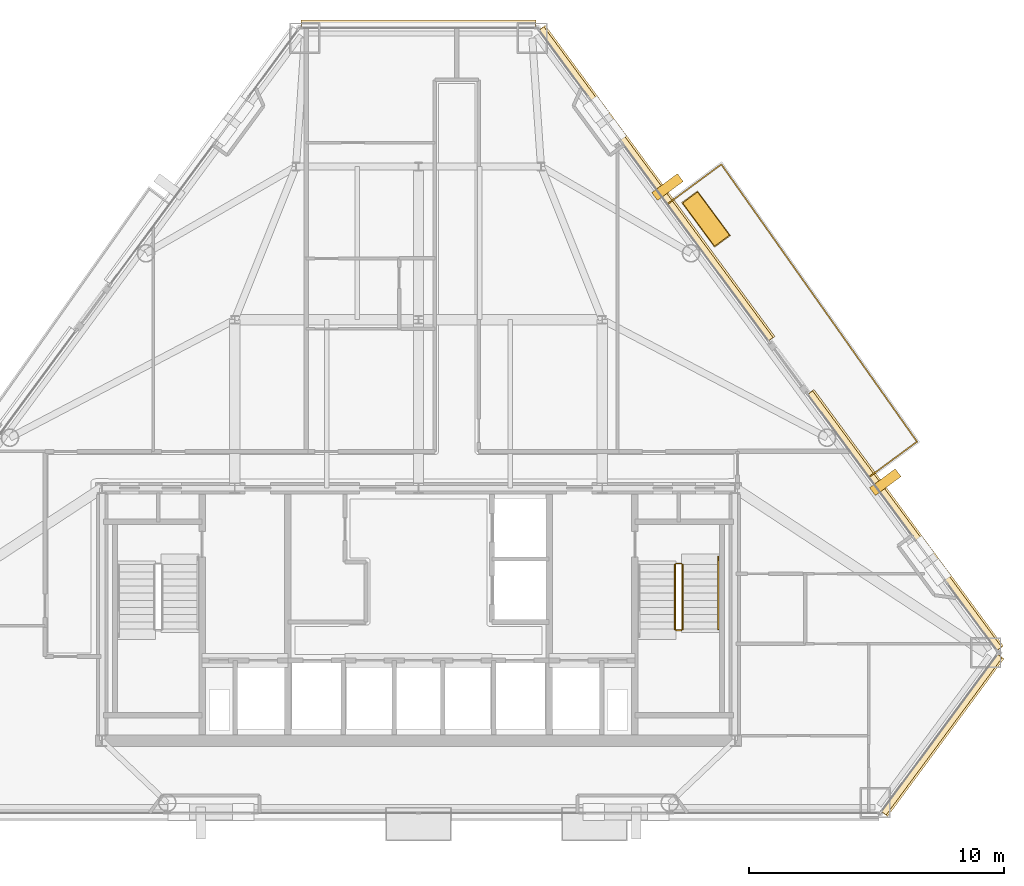
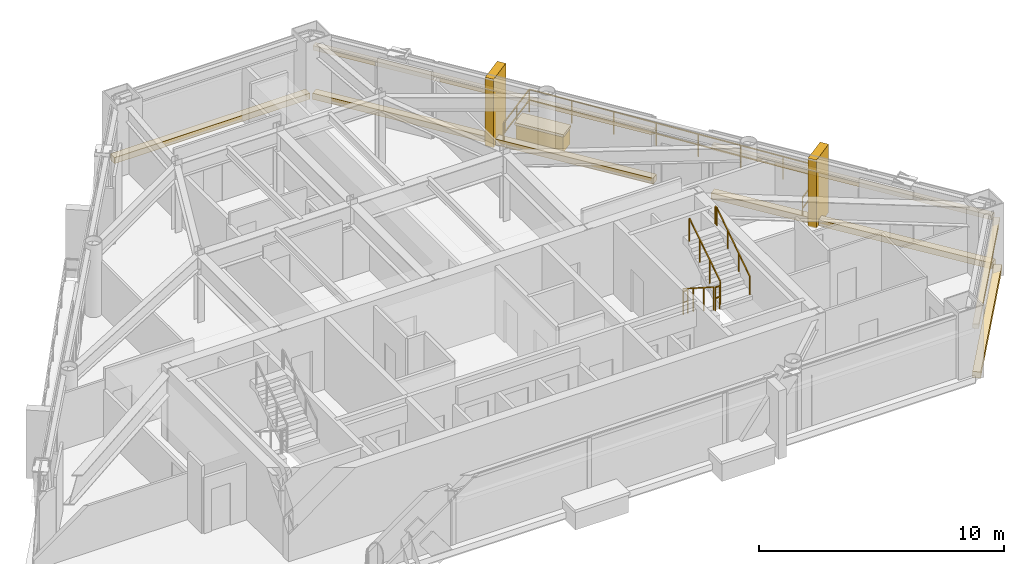
# One storey, part 11 of 11: 11 coverings, 6 railings.
"""IFC4 building model written with IfcOpenShell, lengths in metres."""

from ifc_helpers import new_model, si_unit, direction, frame, origin, origin_2d, place, context, subcontext, project, spatial, rectangle, extrude, material, layer, layer_set, type_object, element, save


model = new_model("IFC4")

# Units and contexts
model_context = context("Model", 3, precision=1e-05, world=origin(), true_north=direction((0.0, 1.0)))
body_context = subcontext(model_context, "Body", "Model", "MODEL_VIEW")
ifc_project = project(units=[si_unit("LENGTHUNIT", "METRE"), si_unit("AREAUNIT", "SQUARE_METRE"), si_unit("VOLUMEUNIT", "CUBIC_METRE"), si_unit("PLANEANGLEUNIT", "RADIAN"), si_unit("MASSUNIT", "GRAM", prefix="KILO")], contexts=[model_context])

# Site, building, storey
site_placement = place(None, origin())
site = spatial("IfcSite", under=ifc_project, at=site_placement, CompositionType="ELEMENT")
building_placement = place(site_placement, origin())
building = spatial("IfcBuilding", under=site, at=building_placement, Name="Talgorran Terracotta Tower", CompositionType="ELEMENT")
storey_placement = place(building_placement, frame((0.0, 0.0, 158.10009765625)))
storey = spatial("IfcBuildingStorey", under=building, at=storey_placement, Name="L41", CompositionType="ELEMENT", Elevation=158.10009765625)

# Coverings
ifc_material_1 = material(Name="Kiln-Fired Terracotta Ochre Ceramic", Category="masonry")
ifc_layer_1 = layer(ifc_material_1, 0.179931640625, Name="COV_BAGUETTE_TERRACOTTA_SCREEN")
ifc_layer_set_1 = layer_set([ifc_layer_1], Name="Kiln-Fired Terracotta Ochre Ceramic")
covering_type_1 = type_object("IfcCoveringType", Name="COV_BAGUETTE_TERRACOTTA_SCREEN", PredefinedType="CLADDING", material=ifc_layer_set_1)
covering_1_placement = place(storey_placement, frame((20.49609375, -13.851806640625, 2.41015625), z_axis=(0.0, 0.0, 1.0), x_axis=(0.593784074712, 0.804624429544, 0.0)))
element("IfcCovering", 1, at=covering_1_placement, inside=storey, type_object=covering_type_1, Name="L41 Terracotta Baguette Solar Screen Assembly F2", PredefinedType="CLADDING", context=body_context, shape_type="SweptSolid", body=[
    extrude(rectangle(XDim=7.6591796875, YDim=0.260009765625, at=origin_2d()), origin(), (0.0, 0.0, 1.0), 0.219970703125),
])
covering_2_placement = place(storey_placement, frame((19.04150390625, -5.486328125, 2.41015625), z_axis=(0.0, 0.0, 1.0), x_axis=(-0.593784074712, 0.804624429544, 0.0)))
element("IfcCovering", 2, at=covering_2_placement, inside=storey, type_object=covering_type_1, Name="L41 Terracotta Baguette Solar Screen Assembly F40", PredefinedType="CLADDING", context=body_context, shape_type="SweptSolid", body=[
    extrude(rectangle(XDim=12.47900390625, YDim=0.260009765625, at=origin_2d()), origin(), (0.0, 0.0, 1.0), 0.219970703125),
])
covering_3_placement = place(storey_placement, frame((9.298828125, 7.7158203125, 2.41015625), z_axis=(0.0, 0.0, 1.0), x_axis=(-0.593784074712, 0.804624429544, 0.0)))
element("IfcCovering", 3, at=covering_3_placement, inside=storey, type_object=covering_type_1, Name="L41 Terracotta Baguette Solar Screen Assembly F41", PredefinedType="CLADDING", context=body_context, shape_type="SweptSolid", body=[
    extrude(rectangle(XDim=15.13671875, YDim=0.260009765625, at=origin_2d()), origin(), (0.0, 0.0, 1.0), 0.219970703125),
])
ifc_material_2 = material(Name="Honed Limestone and Terracotta Planter", Category="masonry")
ifc_layer_2 = layer(ifc_material_2, 0.1201171875, Name="COV_PLANTER_BOX")
ifc_layer_set_2 = layer_set([ifc_layer_2], Name="Honed Limestone and Terracotta Planter")
covering_type_2 = type_object("IfcCoveringType", Name="COV_PLANTER_BOX", PredefinedType="CLADDING", material=ifc_layer_set_2)
covering_4_placement = place(storey_placement, frame((11.26904296875, 6.342529296875, -0.02001953125), z_axis=(0.0, 0.0, 1.0), x_axis=(-0.593784074712, 0.804624429544, 0.0)))
element("IfcCovering", 4, at=covering_4_placement, inside=storey, type_object=covering_type_2, Name="L41 Staggered Balcony Planter Box BAL-NE", PredefinedType="CLADDING", context=body_context, shape_type="SweptSolid", body=[
    extrude(rectangle(XDim=2.10009765625, YDim=0.719970703125, at=origin_2d()), origin(), (0.0, 0.0, 1.0), 0.860107421875),
])
ifc_material_3 = material(Name="Kiln-Fired Terracotta Planter Rim", Category="masonry")
ifc_layer_3 = layer(ifc_material_3, 0.10009765625, Name="COV_PLANTER_RIM")
ifc_layer_set_3 = layer_set([ifc_layer_3], Name="Kiln-Fired Terracotta Planter Rim")
covering_type_3 = type_object("IfcCoveringType", Name="COV_PLANTER_RIM", PredefinedType="CLADDING", material=ifc_layer_set_3)
covering_5_placement = place(storey_placement, frame((11.26904296875, 6.342529296875, 0.7998046875), z_axis=(0.0, 0.0, 1.0), x_axis=(-0.593784074712, 0.804624429544, 0.0)))
element("IfcCovering", 5, at=covering_5_placement, inside=storey, type_object=covering_type_3, Name="L41 Balcony Planter Terracotta Rim BAL-NE", PredefinedType="CLADDING", context=body_context, shape_type="SweptSolid", body=[
    extrude(rectangle(XDim=2.179931640625, YDim=0.780029296875, at=origin_2d()), origin(), (0.0, 0.0, 1.0), 0.1201171875),
])
ifc_material_4 = material(Name="Honed Limestone Cladding", Category="masonry")
ifc_layer_4 = layer(ifc_material_4, 0.094970703125, Name="COV_PORTAL_LIME")
ifc_layer_set_4 = layer_set([ifc_layer_4], Name="Honed Limestone Cladding")
covering_type_4 = type_object("IfcCoveringType", Name="COV_PORTAL_LIME", PredefinedType="CLADDING", material=ifc_layer_set_4)
covering_6_placement = place(storey_placement, frame((18.293212890625, -3.966796875, -0.050048828125), z_axis=(0.0, 0.0, 1.0), x_axis=(-0.593784074712, 0.804624429544, 0.0)))
element("IfcCovering", 6, at=covering_6_placement, inside=storey, type_object=covering_type_4, Name="L41 White Striped Portal Fin F3-1", PredefinedType="CLADDING", context=body_context, shape_type="SweptSolid", body=[
    extrude(rectangle(XDim=0.3798828125, YDim=1.25, at=origin_2d()), origin(), (0.0, 0.0, 1.0), 3.39990234375),
])
ifc_material_5 = material(Name="Kiln-Fired Terracotta Cladding", Category="masonry")
ifc_layer_5 = layer(ifc_material_5, 0.090087890625, Name="COV_PORTAL_TERRA")
ifc_layer_set_5 = layer_set([ifc_layer_5], Name="Kiln-Fired Terracotta Cladding")
covering_type_5 = type_object("IfcCoveringType", Name="COV_PORTAL_TERRA", PredefinedType="CLADDING", material=ifc_layer_set_5)
covering_7_placement = place(storey_placement, frame((20.5283203125, -13.87548828125, -0.0400390625), z_axis=(0.0, 0.0, 1.0), x_axis=(0.593784074712, 0.804624429544, 0.0)))
element("IfcCovering", 7, at=covering_7_placement, inside=storey, type_object=covering_type_5, Name="L41 Striped Postmodern Portal Cladding Band F2", PredefinedType="CLADDING", context=body_context, shape_type="SweptSolid", body=[
    extrude(rectangle(XDim=7.67919921875, YDim=0.340087890625, at=origin_2d()), origin(), (0.0, 0.0, 1.0), 0.300048828125),
])
covering_8_placement = place(storey_placement, frame((19.073486328125, -5.46240234375, -0.0400390625), z_axis=(0.0, 0.0, 1.0), x_axis=(-0.593784074712, 0.804624429544, 0.0)))
element("IfcCovering", 8, at=covering_8_placement, inside=storey, type_object=covering_type_5, Name="L41 Striped Postmodern Portal Cladding Band F40", PredefinedType="CLADDING", context=body_context, shape_type="SweptSolid", body=[
    extrude(rectangle(XDim=12.4990234375, YDim=0.340087890625, at=origin_2d()), origin(), (0.0, 0.0, 1.0), 0.300048828125),
])
covering_9_placement = place(storey_placement, frame((9.330810546875, 7.739501953125, -0.0400390625), z_axis=(0.0, 0.0, 1.0), x_axis=(-0.593784074712, 0.804624429544, 0.0)))
element("IfcCovering", 9, at=covering_9_placement, inside=storey, type_object=covering_type_5, Name="L41 Striped Postmodern Portal Cladding Band F41", PredefinedType="CLADDING", context=body_context, shape_type="SweptSolid", body=[
    extrude(rectangle(XDim=15.156494140625, YDim=0.340087890625, at=origin_2d()), origin(), (0.0, 0.0, 1.0), 0.300048828125),
])
covering_10_placement = place(storey_placement, frame((0.0, 13.974609375, -0.0400390625), z_axis=(0.0, 0.0, 1.0), x_axis=(-1.0, 0.0, 0.0)))
element("IfcCovering", 10, at=covering_10_placement, inside=storey, type_object=covering_type_5, Name="L41 Striped Postmodern Portal Cladding Band F4", PredefinedType="CLADDING", context=body_context, shape_type="SweptSolid", body=[
    extrude(rectangle(XDim=9.197998046875, YDim=0.340087890625, at=origin_2d()), origin(), (0.0, 0.0, 1.0), 0.300048828125),
])
covering_11_placement = place(storey_placement, frame((9.757568359375, 7.599365234375, -0.050048828125), z_axis=(0.0, 0.0, 1.0), x_axis=(-0.593784074712, 0.804624429544, 0.0)))
element("IfcCovering", 11, at=covering_11_placement, inside=storey, type_object=covering_type_5, Name="L41 Terracotta Striped Portal Fin F3-2", PredefinedType="CLADDING", context=body_context, shape_type="SweptSolid", body=[
    extrude(rectangle(XDim=0.3798828125, YDim=1.25, at=origin_2d()), origin(), (0.0, 0.0, 1.0), 3.39990234375),
])

# Railings
ifc_material_6 = material(Name="Laminated Glass and Stainless Steel 316", Category="steel")
railing_type_1 = type_object("IfcRailingType", Name="RL_BALCONY_1150", PredefinedType="BALUSTRADE", material=ifc_material_6)
railing_1_placement = place(storey_placement, frame((17.66748046875, -3.759033203125, 0.0)))
element("IfcRailing", 12, at=railing_1_placement, inside=storey, type_object=railing_type_1, Name="RL-L41-BAL-BAL-NE", PredefinedType="BALUSTRADE", context=body_context, shape_type="SweptSolid", body=[
    extrude(rectangle(XDim=0.048095703125, YDim=0.048095703125, at=origin_2d()), frame((0.0, 0.0, 1.1259765625), z_axis=(0.804606371568, 0.59380854392, 0.0), x_axis=(-0.59380854392, 0.804606371568, 0.0)), (0.0, 0.0, 1.0), 2.322021484375),
    extrude(rectangle(XDim=0.048095703125, YDim=0.048095703125, at=origin_2d()), frame((0.0, 0.0, 0.597900390625), z_axis=(0.804606371568, 0.59380854392, 0.0), x_axis=(-0.59380854392, 0.804606371568, 0.0)), (0.0, 0.0, 1.0), 2.322021484375),
    extrude(rectangle(XDim=0.048095703125, YDim=0.048095703125, at=origin_2d()), frame((1.868408203125, 1.37890625, 1.1259765625), z_axis=(-0.576524638546, 0.817079764251, 0.0), x_axis=(-0.817079764251, -0.576524638546, 0.0)), (0.0, 0.0, 1.0), 13.30029296875),
    extrude(rectangle(XDim=0.048095703125, YDim=0.048095703125, at=origin_2d()), frame((1.868408203125, 1.37890625, 0.597900390625), z_axis=(-0.576524638546, 0.817079764251, 0.0), x_axis=(-0.817079764251, -0.576524638546, 0.0)), (0.0, 0.0, 1.0), 13.30029296875),
    extrude(rectangle(XDim=0.048095703125, YDim=0.048095703125, at=origin_2d()), frame((-5.799560546875, 12.246337890625, 1.1259765625), z_axis=(-0.804586871989, -0.593834964803, 0.0), x_axis=(0.593834964803, -0.804586871989, 0.0)), (0.0, 0.0, 1.0), 2.605224609375),
    extrude(rectangle(XDim=0.048095703125, YDim=0.048095703125, at=origin_2d()), frame((-5.799560546875, 12.246337890625, 0.597900390625), z_axis=(-0.804586871989, -0.593834964803, 0.0), x_axis=(0.593834964803, -0.804586871989, 0.0)), (0.0, 0.0, 1.0), 2.605224609375),
    extrude(rectangle(XDim=0.0419921875, YDim=0.0419921875, at=origin_2d()), origin(), (0.0, 0.0, 1.0), 1.101806640625),
    extrude(rectangle(XDim=0.0419921875, YDim=0.0419921875, at=origin_2d()), frame((0.93408203125, 0.689453125, 0.0)), (0.0, 0.0, 1.0), 1.101806640625),
    extrude(rectangle(XDim=0.0419921875, YDim=0.0419921875, at=origin_2d()), frame((1.868408203125, 1.37890625, 0.0)), (0.0, 0.0, 1.0), 1.101806640625),
    extrude(rectangle(XDim=0.0419921875, YDim=0.0419921875, at=origin_2d()), frame((0.77294921875, 2.931396484375, 0.0)), (0.0, 0.0, 1.0), 1.101806640625),
    extrude(rectangle(XDim=0.0419921875, YDim=0.0419921875, at=origin_2d()), frame((-0.322509765625, 4.48388671875, 0.0)), (0.0, 0.0, 1.0), 1.101806640625),
    extrude(rectangle(XDim=0.0419921875, YDim=0.0419921875, at=origin_2d()), frame((-1.41796875, 6.036376953125, 0.0)), (0.0, 0.0, 1.0), 1.101806640625),
    extrude(rectangle(XDim=0.0419921875, YDim=0.0419921875, at=origin_2d()), frame((-2.51318359375, 7.5888671875, 0.0)), (0.0, 0.0, 1.0), 1.101806640625),
    extrude(rectangle(XDim=0.0419921875, YDim=0.0419921875, at=origin_2d()), frame((-3.608642578125, 9.141357421875, 0.0)), (0.0, 0.0, 1.0), 1.101806640625),
    extrude(rectangle(XDim=0.0419921875, YDim=0.0419921875, at=origin_2d()), frame((-4.7041015625, 10.69384765625, 0.0)), (0.0, 0.0, 1.0), 1.101806640625),
    extrude(rectangle(XDim=0.0419921875, YDim=0.0419921875, at=origin_2d()), frame((-5.799560546875, 12.246337890625, 0.0)), (0.0, 0.0, 1.0), 1.101806640625),
    extrude(rectangle(XDim=0.0419921875, YDim=0.0419921875, at=origin_2d()), frame((-6.84765625, 11.47265625, 0.0)), (0.0, 0.0, 1.0), 1.101806640625),
    extrude(rectangle(XDim=0.0419921875, YDim=0.0419921875, at=origin_2d()), frame((-7.895751953125, 10.69921875, 0.0)), (0.0, 0.0, 1.0), 1.101806640625),
])
ifc_material_7 = material(Name="Steel S355 (300PLUS)", Category="steel")
railing_type_2 = type_object("IfcRailingType", Name="RL_HANDRAIL_920", PredefinedType="HANDRAIL", material=ifc_material_7)
railing_2_placement = place(storey_placement, frame((11.75, -9.719970703125, 1.97998046875)))
element("IfcRailing", 13, at=railing_2_placement, inside=storey, type_object=railing_type_2, Name="L41 ST-02 stair handrail 2", PredefinedType="HANDRAIL", context=body_context, shape_type="SweptSolid", body=[
    extrude(rectangle(XDim=0.048095703125, YDim=0.048095703125, at=origin_2d()), frame((0.0, 0.0, 0.89599609375), z_axis=(0.0, 0.832073444223, 0.554665469827), x_axis=(-1.0, 0.0, 0.0)), (0.0, 0.0, 1.0), 3.244873046875),
    extrude(rectangle(XDim=0.048095703125, YDim=0.048095703125, at=origin_2d()), frame((0.0, 2.699951171875, 2.69580078125), z_axis=(0.0, 1.0, 0.0), x_axis=(-1.0, 0.0, 0.0)), (0.0, 0.0, 1.0), 0.1201171875),
    extrude(rectangle(XDim=0.0419921875, YDim=0.0419921875, at=origin_2d()), origin(), (0.0, 0.0, 1.0), 0.871826171875),
    extrude(rectangle(XDim=0.0419921875, YDim=0.0419921875, at=origin_2d()), frame((0.0, 0.89990234375, 0.599853515625)), (0.0, 0.0, 1.0), 0.871826171875),
    extrude(rectangle(XDim=0.0419921875, YDim=0.0419921875, at=origin_2d()), frame((0.0, 1.800048828125, 1.199951171875)), (0.0, 0.0, 1.0), 0.871826171875),
    extrude(rectangle(XDim=0.0419921875, YDim=0.0419921875, at=origin_2d()), frame((0.0, 2.699951171875, 1.7998046875)), (0.0, 0.0, 1.0), 0.871826171875),
    extrude(rectangle(XDim=0.0419921875, YDim=0.0419921875, at=origin_2d()), frame((0.0, 2.820068359375, 1.7998046875)), (0.0, 0.0, 1.0), 0.871826171875),
])
railing_type_3 = type_object("IfcRailingType", Name="RL_STAIR_GUARD", PredefinedType="GUARDRAIL", material=ifc_material_7)
railing_3_placement = place(storey_placement, frame((10.050048828125, -7.199951171875, 0.179931640625)))
element("IfcRailing", 14, at=railing_3_placement, inside=storey, type_object=railing_type_3, Name="L41 ST-02 stair guard 1", PredefinedType="GUARDRAIL", context=body_context, shape_type="SweptSolid", body=[
    extrude(rectangle(XDim=0.048095703125, YDim=0.048095703125, at=origin_2d()), frame((0.0, 0.0, 1.15576171875), z_axis=(0.0, -0.841199657755, 0.540724639528), x_axis=(1.0, 0.0, 0.0)), (0.0, 0.0, 1.0), 2.995849609375),
    extrude(rectangle(XDim=0.0419921875, YDim=0.0419921875, at=origin_2d()), origin(), (0.0, 0.0, 1.0), 1.1318359375),
    extrude(rectangle(XDim=0.0419921875, YDim=0.0419921875, at=origin_2d()), frame((0.0, -0.840087890625, 0.5400390625)), (0.0, 0.0, 1.0), 1.1318359375),
    extrude(rectangle(XDim=0.0419921875, YDim=0.0419921875, at=origin_2d()), frame((0.0, -1.679931640625, 1.079833984375)), (0.0, 0.0, 1.0), 1.1318359375),
    extrude(rectangle(XDim=0.0419921875, YDim=0.0419921875, at=origin_2d()), frame((0.0, -2.52001953125, 1.619873046875)), (0.0, 0.0, 1.0), 1.1318359375),
])
railing_4_placement = place(storey_placement, frame((10.10009765625, -9.77001953125, 1.7998046875)))
element("IfcRailing", 15, at=railing_4_placement, inside=storey, type_object=railing_type_3, Name="L41 ST-02 stair guard 2", PredefinedType="GUARDRAIL", context=body_context, shape_type="SweptSolid", body=[
    extrude(rectangle(XDim=0.048095703125, YDim=0.048095703125, at=origin_2d()), frame((0.0, 0.0, 1.15576171875), z_axis=(1.0, 0.0, 0.0), x_axis=(0.0, 1.0, 0.0)), (0.0, 0.0, 1.0), 0.199951171875),
    extrude(rectangle(XDim=0.048095703125, YDim=0.048095703125, at=origin_2d()), frame((0.0, 0.0, 0.613525390625), z_axis=(1.0, 0.0, 0.0), x_axis=(0.0, 1.0, 0.0)), (0.0, 0.0, 1.0), 0.199951171875),
    extrude(rectangle(XDim=0.0419921875, YDim=0.0419921875, at=origin_2d()), origin(), (0.0, 0.0, 1.0), 1.1318359375),
    extrude(rectangle(XDim=0.0419921875, YDim=0.0419921875, at=origin_2d()), frame((0.199951171875, 0.0, 0.0)), (0.0, 0.0, 1.0), 1.1318359375),
])
railing_5_placement = place(storey_placement, frame((10.35009765625, -9.719970703125, 1.97998046875)))
element("IfcRailing", 16, at=railing_5_placement, inside=storey, type_object=railing_type_3, Name="L41 ST-02 stair guard 3", PredefinedType="GUARDRAIL", context=body_context, shape_type="SweptSolid", body=[
    extrude(rectangle(XDim=0.048095703125, YDim=0.048095703125, at=origin_2d()), frame((0.0, 0.0, 1.15576171875), z_axis=(0.0, 0.841199657755, 0.540724639528), x_axis=(-1.0, 0.0, 0.0)), (0.0, 0.0, 1.0), 2.995849609375),
    extrude(rectangle(XDim=0.0419921875, YDim=0.0419921875, at=origin_2d()), origin(), (0.0, 0.0, 1.0), 1.1318359375),
    extrude(rectangle(XDim=0.0419921875, YDim=0.0419921875, at=origin_2d()), frame((0.0, 0.840087890625, 0.5400390625)), (0.0, 0.0, 1.0), 1.1318359375),
    extrude(rectangle(XDim=0.0419921875, YDim=0.0419921875, at=origin_2d()), frame((0.0, 1.679931640625, 1.079833984375)), (0.0, 0.0, 1.0), 1.1318359375),
    extrude(rectangle(XDim=0.0419921875, YDim=0.0419921875, at=origin_2d()), frame((0.0, 2.52001953125, 1.619873046875)), (0.0, 0.0, 1.0), 1.1318359375),
])
railing_6_placement = place(storey_placement, frame((10.10009765625, -7.14990234375, 0.0)))
element("IfcRailing", 17, at=railing_6_placement, inside=storey, type_object=railing_type_3, Name="L41 ST-02 stair guard 4", PredefinedType="GUARDRAIL", context=body_context, shape_type="SweptSolid", body=[
    extrude(rectangle(XDim=0.048095703125, YDim=0.048095703125, at=origin_2d()), frame((0.0, 0.0, 1.15576171875), z_axis=(1.0, 0.0, 0.0), x_axis=(0.0, 1.0, 0.0)), (0.0, 0.0, 1.0), 0.199951171875),
    extrude(rectangle(XDim=0.048095703125, YDim=0.048095703125, at=origin_2d()), frame((0.0, 0.0, 0.613525390625), z_axis=(1.0, 0.0, 0.0), x_axis=(0.0, 1.0, 0.0)), (0.0, 0.0, 1.0), 0.199951171875),
    extrude(rectangle(XDim=0.0419921875, YDim=0.0419921875, at=origin_2d()), origin(), (0.0, 0.0, 1.0), 1.1318359375),
    extrude(rectangle(XDim=0.0419921875, YDim=0.0419921875, at=origin_2d()), frame((0.199951171875, 0.0, 0.0)), (0.0, 0.0, 1.0), 1.1318359375),
])

save(model, "model.ifc")
